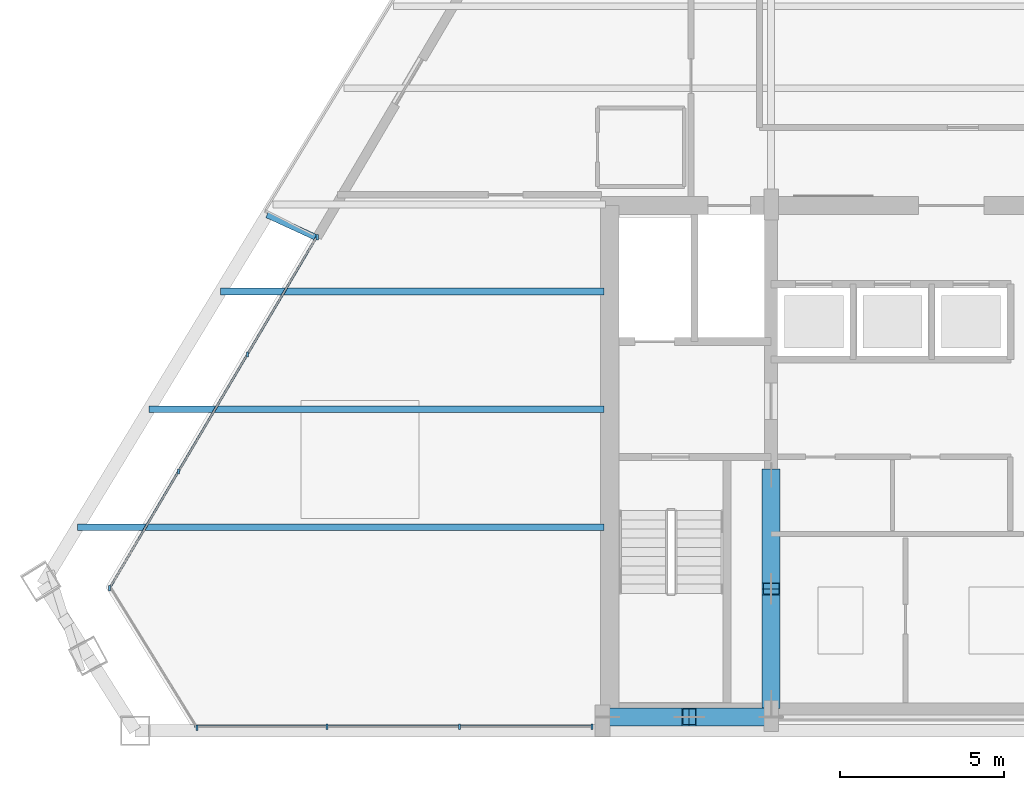
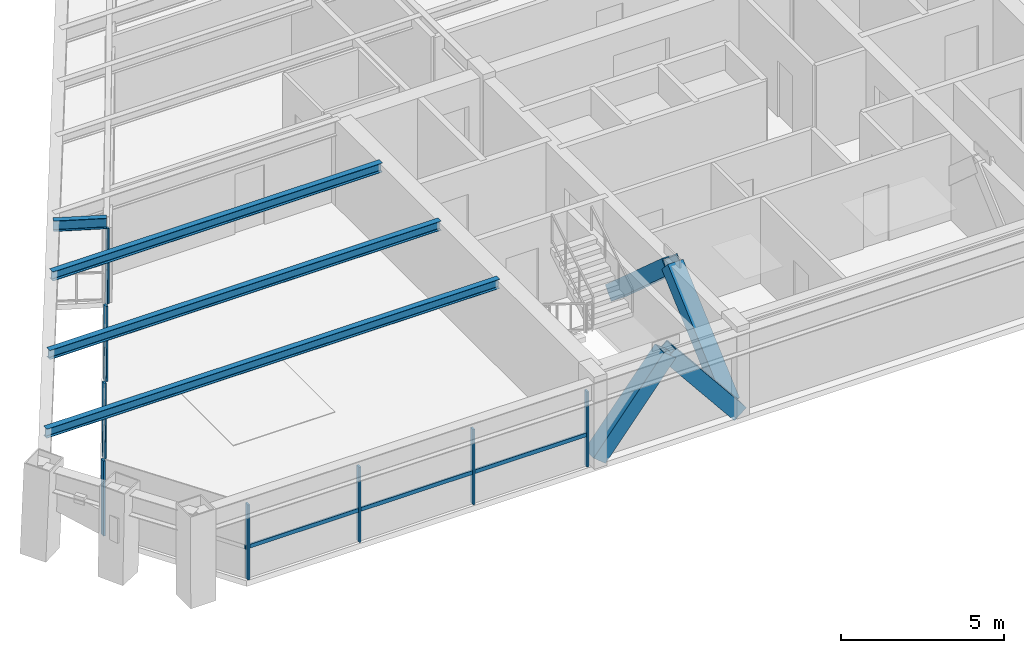
# One storey, part 2 of 14: 18 members, 4 beams, 3 elements without a shape of their own.
"""IFC4 building model written with IfcOpenShell, lengths in metres."""

from ifc_helpers import new_model, si_unit, direction, frame, origin, origin_2d, place, context, subcontext, project, spatial, rectangle, hollow_rectangle, i_section, extrude, source, transform, mapped, material, material_profile, profile_set, type_object, type_shapes, element, aggregate, save


model = new_model("IFC4")

# Units and contexts
model_context = context("Model", 3, precision=1e-05, world=origin(), true_north=direction((0.0, 1.0)))
body_context = subcontext(model_context, "Body", "Model", "MODEL_VIEW")
ifc_project = project(units=[si_unit("LENGTHUNIT", "METRE"), si_unit("AREAUNIT", "SQUARE_METRE"), si_unit("VOLUMEUNIT", "CUBIC_METRE"), si_unit("PLANEANGLEUNIT", "RADIAN"), si_unit("MASSUNIT", "GRAM", prefix="KILO")], contexts=[model_context])

# Site, building, storey
site_placement = place(None, origin())
site = spatial("IfcSite", under=ifc_project, at=site_placement, CompositionType="ELEMENT")
building_placement = place(site_placement, origin())
building = spatial("IfcBuilding", under=site, at=building_placement, Name="Varnakhor Terracotta Tower", CompositionType="ELEMENT")
storey_placement = place(building_placement, frame((0.0, 0.0, 240.699951171875)))
storey = spatial("IfcBuildingStorey", under=building, at=storey_placement, Name="L62", CompositionType="ELEMENT", Elevation=240.699951171875)

# Members
ifc_material_1 = material(Name="Steel S355", Category="steel")
ifc_material_profile_1 = material_profile(ifc_material_1, hollow_rectangle(XDim=0.550048828125, YDim=0.550048828125, WallThickness=0.034912109375, at=origin_2d()), Name="HSS550X550X35")
ifc_profile_set_1 = profile_set([ifc_material_profile_1], Name="Steel S355")
member_type_1 = type_object("IfcMemberType", Name="MBR-MEGA-550", PredefinedType="BRACE", material=ifc_profile_set_1)
shared_shape_1 = source(origin(), body_context, "Body", "SweptSolid", [
    extrude(hollow_rectangle(XDim=0.550048828125, YDim=0.550048828125, WallThickness=0.034912109375, at=origin_2d()), origin(), (0.0, 0.0, 1.0), 3.974853515625),
])
for number, where, z_axis, x_axis, name in (
    (1, (-10.5, 0.419921875, 0.0), (0.628970263838, 0.0, 0.777429358339), (0.0, 1.0, 0.0), "L62 Core Coupled Brace CSWA"),
    (2, (-5.5, 0.419921875, 0.0), (-0.628970263838, 0.0, 0.777429358339), (0.0, -1.0, 0.0), "L62 Core Coupled Brace CSWB"),
):
    element("IfcMember", number, at=place(storey_placement, frame(where, z_axis=z_axis, x_axis=x_axis)), inside=storey, type_object=member_type_1, Name=name, PredefinedType="BRACE", context=body_context, shape_type="MappedRepresentation", body=[
        mapped(shared_shape_1, transform((0.0, 0.0, 0.0), scale=1.0)),
    ])
shared_shape_2 = source(origin(), body_context, "Body", "SweptSolid", [
    extrude(hollow_rectangle(XDim=0.550048828125, YDim=0.550048828125, WallThickness=0.034912109375, at=origin_2d()), origin(), (0.0, 0.0, 1.0), 4.650146484375),
])
for number, where, z_axis, x_axis, name in (
    (3, (-5.5, 0.85009765625, 0.0), (0.0, 0.74726736397, 0.664523503532), (-1.0, 0.0, 0.0), "L62 Core Coupled Brace CWWA"),
    (4, (-5.5, 7.800048828125, 0.0), (0.0, -0.74729054724, 0.664497432655), (1.0, 0.0, 0.0), "L62 Core Coupled Brace CWWB"),
):
    element("IfcMember", number, at=place(storey_placement, frame(where, z_axis=z_axis, x_axis=x_axis)), inside=storey, type_object=member_type_1, Name=name, PredefinedType="BRACE", context=body_context, shape_type="MappedRepresentation", body=[
        mapped(shared_shape_2, transform((0.0, 0.0, 0.0), scale=1.0)),
    ])

# Beams
ifc_material_profile_2 = material_profile(ifc_material_1, i_section(OverallWidth=0.202880859375, OverallDepth=0.346923828125, WebThickness=0.0078125, FlangeThickness=0.013427734375, FilletRadius=0.01806640625, at=origin_2d()), Name="W14X43")
ifc_profile_set_2 = profile_set([ifc_material_profile_2], Name="Steel S355")
beam_type_1 = type_object("IfcBeamType", Name="JST-W14X43", PredefinedType="JOIST", material=ifc_profile_set_2)
shared_shape_3 = source(origin(), body_context, "Body", "SweptSolid", [
    extrude(i_section(OverallWidth=0.202880859375, OverallDepth=0.346923828125, WebThickness=0.0078125, FlangeThickness=0.013427734375, FilletRadius=0.01806640625, at=origin_2d()), origin(), (0.0, 0.0, 1.0), 16.070556640625),
])
beam_1_placement = place(storey_placement, frame((-26.670654296875, 6.199951171875, 3.066650390625), z_axis=(1.0, 0.0, 0.0), x_axis=(0.0, 1.0, 0.0)))
element("IfcBeam", 5, at=beam_1_placement, inside=storey, type_object=beam_type_1, Name="L62 Floor Joist W1", PredefinedType="JOIST", context=body_context, shape_type="MappedRepresentation", body=[
    mapped(shared_shape_3, transform((0.0, 0.0, 0.0), scale=1.0)),
])
shared_shape_4 = source(origin(), body_context, "Body", "SweptSolid", [
    extrude(i_section(OverallWidth=0.202880859375, OverallDepth=0.346923828125, WebThickness=0.0078125, FlangeThickness=0.013427734375, FilletRadius=0.01806640625, at=origin_2d()), origin(), (0.0, 0.0, 1.0), 13.8857421875),
])
beam_2_placement = place(storey_placement, frame((-24.48583984375, 9.800048828125, 3.066650390625), z_axis=(1.0, 0.0, 0.0), x_axis=(0.0, 1.0, 0.0)))
element("IfcBeam", 6, at=beam_2_placement, inside=storey, type_object=beam_type_1, Name="L62 Floor Joist W2", PredefinedType="JOIST", context=body_context, shape_type="MappedRepresentation", body=[
    mapped(shared_shape_4, transform((0.0, 0.0, 0.0), scale=1.0)),
])
shared_shape_5 = source(origin(), body_context, "Body", "SweptSolid", [
    extrude(i_section(OverallWidth=0.202880859375, OverallDepth=0.346923828125, WebThickness=0.0078125, FlangeThickness=0.013427734375, FilletRadius=0.01806640625, at=origin_2d()), origin(), (0.0, 0.0, 1.0), 11.70068359375),
])
beam_3_placement = place(storey_placement, frame((-22.30078125, 13.39990234375, 3.066650390625), z_axis=(1.0, 0.0, 0.0), x_axis=(0.0, 1.0, 0.0)))
element("IfcBeam", 7, at=beam_3_placement, inside=storey, type_object=beam_type_1, Name="L62 Floor Joist W3", PredefinedType="JOIST", context=body_context, shape_type="MappedRepresentation", body=[
    mapped(shared_shape_5, transform((0.0, 0.0, 0.0), scale=1.0)),
])

# Curtain wall, members
ifc_material_2 = material(Name="Anodised Aluminium Curtain Wall System", Category="aluminium")
curtain_wall_type = type_object("IfcCurtainWallType", Name="CW-SYS-HOTEL-LOGGIA", PredefinedType="NOTDEFINED", material=ifc_material_2)
curtain_wall_1_placement = place(storey_placement, origin())
curtain_wall_1 = element("IfcCurtainWall", 8, at=curtain_wall_1_placement, inside=storey, type_object=curtain_wall_type, Name="L62 W Facet Curtain Wall 1", PredefinedType="NOTDEFINED")
ifc_material_3 = material(Name="Anodised Aluminium 6063-T6", Category="aluminium")
ifc_material_profile_3 = material_profile(ifc_material_3, rectangle(XDim=0.06494140625, YDim=0.159912109375, at=origin_2d()), Name="ALU MULLION 65x160")
ifc_profile_set_3 = profile_set([ifc_material_profile_3], Name="Anodised Aluminium 6063-T6")
member_type_2 = type_object("IfcMemberType", Name="CWM-04", PredefinedType="MULLION", material=ifc_profile_set_3)
shared_shape_6 = source(origin(), body_context, "Body", "SweptSolid", [
    extrude(rectangle(XDim=0.06494140625, YDim=0.159912109375, at=origin_2d()), origin(), (0.0, 0.0, 1.0), 2.820068359375),
])
type_shapes(member_type_2, [shared_shape_6])
member_1_placement = place(storey_placement, frame((-25.686279296875, 4.343505859375, 0.0), z_axis=(0.0, 0.0, 1.0), x_axis=(1.0, 0.0, 0.0)))
member_1 = element("IfcMember", 9, at=member_1_placement, type_object=member_type_2, Name="L62 W Facet Curtain Wall 1 Mullion 1", PredefinedType="MULLION", context=body_context, shape_type="MappedRepresentation", body=[
    mapped(shared_shape_6, transform((0.0, 0.0, 0.0), scale=1.0)),
])
member_2_placement = place(storey_placement, frame((-23.5849609375, 7.9091796875, 0.0), z_axis=(0.0, 0.0, 1.0), x_axis=(1.0, 0.0, 0.0)))
member_2 = element("IfcMember", 10, at=member_2_placement, type_object=member_type_2, Name="L62 W Facet Curtain Wall 1 Mullion 2", PredefinedType="MULLION", context=body_context, shape_type="MappedRepresentation", body=[
    mapped(shared_shape_6, transform((0.0, 0.0, 0.0), scale=1.0)),
])
member_3_placement = place(storey_placement, frame((-21.4833984375, 11.474853515625, 0.0), z_axis=(0.0, 0.0, 1.0), x_axis=(1.0, 0.0, 0.0)))
member_3 = element("IfcMember", 11, at=member_3_placement, type_object=member_type_2, Name="L62 W Facet Curtain Wall 1 Mullion 3", PredefinedType="MULLION", context=body_context, shape_type="MappedRepresentation", body=[
    mapped(shared_shape_6, transform((0.0, 0.0, 0.0), scale=1.0)),
])
member_4_placement = place(storey_placement, frame((-19.349609375, 15.056396484375, 0.0), z_axis=(0.0, 0.0, 1.0), x_axis=(1.0, 0.0, 0.0)))
member_4 = element("IfcMember", 12, at=member_4_placement, type_object=member_type_2, Name="L62 W Loggia Jamb Closure Mullion 1", PredefinedType="MULLION", context=body_context, shape_type="MappedRepresentation", body=[
    mapped(shared_shape_6, transform((0.0, 0.0, 0.0), scale=1.0)),
])

curtain_wall_2_placement = place(storey_placement, origin())
curtain_wall_2 = element("IfcCurtainWall", 13, at=curtain_wall_2_placement, inside=storey, type_object=curtain_wall_type, Name="L62 South Wing Curtain Wall SSW", PredefinedType="NOTDEFINED")
member_5_placement = place(storey_placement, frame((-10.969970703125, 0.1201171875, 0.0), z_axis=(0.0, 0.0, 1.0), x_axis=(1.0, 0.0, 0.0)))
member_5 = element("IfcMember", 14, at=member_5_placement, type_object=member_type_2, Name="L62 South Wing Curtain Wall SSW Mullion 1", PredefinedType="MULLION", context=body_context, shape_type="MappedRepresentation", body=[
    mapped(shared_shape_6, transform((0.0, 0.0, 0.0), scale=1.0)),
])
member_6_placement = place(storey_placement, frame((-15.011962890625, 0.1201171875, 0.0), z_axis=(0.0, 0.0, 1.0), x_axis=(1.0, 0.0, 0.0)))
member_6 = element("IfcMember", 15, at=member_6_placement, type_object=member_type_2, Name="L62 South Wing Curtain Wall SSW Mullion 2", PredefinedType="MULLION", context=body_context, shape_type="MappedRepresentation", body=[
    mapped(shared_shape_6, transform((0.0, 0.0, 0.0), scale=1.0)),
])
member_7_placement = place(storey_placement, frame((-19.053955078125, 0.1201171875, 0.0), z_axis=(0.0, 0.0, 1.0), x_axis=(1.0, 0.0, 0.0)))
member_7 = element("IfcMember", 16, at=member_7_placement, type_object=member_type_2, Name="L62 South Wing Curtain Wall SSW Mullion 3", PredefinedType="MULLION", context=body_context, shape_type="MappedRepresentation", body=[
    mapped(shared_shape_6, transform((0.0, 0.0, 0.0), scale=1.0)),
])

# Curtain wall, member
curtain_wall_3_placement = place(storey_placement, origin())
curtain_wall_3 = element("IfcCurtainWall", 17, at=curtain_wall_3_placement, inside=storey, type_object=curtain_wall_type, Name="L62 Facet Curtain Wall 6", PredefinedType="NOTDEFINED")
member_8_placement = place(storey_placement, frame((-23.019287109375, 0.08837890625, 0.0), z_axis=(0.0, 0.0, 1.0), x_axis=(1.0, 0.0, 0.0)))
member_8 = element("IfcMember", 18, at=member_8_placement, type_object=member_type_2, Name="L62 Facet Curtain Wall 6 Mullion 1", PredefinedType="MULLION", context=body_context, shape_type="MappedRepresentation", body=[
    mapped(shared_shape_6, transform((0.0, 0.0, 0.0), scale=1.0)),
])
aggregate(curtain_wall_3, [member_8])

# Member
ifc_material_profile_4 = material_profile(ifc_material_3, rectangle(XDim=0.06494140625, YDim=0.14501953125, at=origin_2d()), Name="ALU TRANSOM 65x145")
ifc_profile_set_4 = profile_set([ifc_material_profile_4], Name="Anodised Aluminium 6063-T6")
member_type_3 = type_object("IfcMemberType", Name="CWT-04", PredefinedType="USERDEFINED", material=ifc_profile_set_4)
shared_shape_7 = source(origin(), body_context, "Body", "SweptSolid", [
    extrude(rectangle(XDim=0.06494140625, YDim=0.14501953125, at=origin_2d()), origin(), (0.0, 0.0, 1.0), 4.138671875),
])
member_9_placement = place(storey_placement, frame((-25.686279296875, 4.343505859375, 1.1845703125), z_axis=(0.507713417719, 0.861526021353, 0.0), x_axis=(-0.861526021353, 0.507713417719, 0.0)))
member_9 = element("IfcMember", 19, at=member_9_placement, type_object=member_type_3, Name="L62 W Facet Curtain Wall 1 Transom 1", ObjectType="TRANSOM", PredefinedType="USERDEFINED", context=body_context, shape_type="MappedRepresentation", body=[
    mapped(shared_shape_7, transform((0.0, 0.0, 0.0), scale=1.0)),
])

shared_shape_8 = source(origin(), body_context, "Body", "SweptSolid", [
    extrude(rectangle(XDim=0.06494140625, YDim=0.14501953125, at=origin_2d()), origin(), (0.0, 0.0, 1.0), 4.138916015625),
])
member_10_placement = place(storey_placement, frame((-23.5849609375, 7.9091796875, 1.1845703125), z_axis=(0.507757198563, 0.861500218983, 0.0), x_axis=(-0.861500218983, 0.507757198563, 0.0)))
member_10 = element("IfcMember", 20, at=member_10_placement, type_object=member_type_3, Name="L62 W Facet Curtain Wall 1 Transom 2", ObjectType="TRANSOM", PredefinedType="USERDEFINED", context=body_context, shape_type="MappedRepresentation", body=[
    mapped(shared_shape_8, transform((0.0, 0.0, 0.0), scale=1.0)),
])

member_11_placement = place(storey_placement, frame((-21.4833984375, 11.474853515625, 1.1845703125), z_axis=(0.507687616772, 0.861541225813, 0.0), x_axis=(-0.861541225813, 0.507687616772, 0.0)))
member_11 = element("IfcMember", 21, at=member_11_placement, type_object=member_type_3, Name="L62 W Facet Curtain Wall 1 Transom 3", ObjectType="TRANSOM", PredefinedType="USERDEFINED", context=body_context, shape_type="MappedRepresentation", body=[
    mapped(shared_shape_8, transform((0.0, 0.0, 0.0), scale=1.0)),
])

aggregate(curtain_wall_1, [member_1, member_9, member_2, member_10, member_3, member_11, member_4])

shared_shape_9 = source(origin(), body_context, "Body", "SweptSolid", [
    extrude(rectangle(XDim=0.06494140625, YDim=0.14501953125, at=origin_2d()), origin(), (0.0, 0.0, 1.0), 4.0419921875),
])
member_12_placement = place(storey_placement, frame((-10.969970703125, 0.1201171875, 1.1845703125), z_axis=(-1.0, 0.0, 0.0), x_axis=(0.0, -1.0, 0.0)))
member_12 = element("IfcMember", 22, at=member_12_placement, type_object=member_type_3, Name="L62 South Wing Curtain Wall SSW Transom 1", ObjectType="TRANSOM", PredefinedType="USERDEFINED", context=body_context, shape_type="MappedRepresentation", body=[
    mapped(shared_shape_9, transform((0.0, 0.0, 0.0), scale=1.0)),
])

member_13_placement = place(storey_placement, frame((-15.011962890625, 0.1201171875, 1.1845703125), z_axis=(-1.0, 0.0, 0.0), x_axis=(0.0, -1.0, 0.0)))
member_13 = element("IfcMember", 23, at=member_13_placement, type_object=member_type_3, Name="L62 South Wing Curtain Wall SSW Transom 2", ObjectType="TRANSOM", PredefinedType="USERDEFINED", context=body_context, shape_type="MappedRepresentation", body=[
    mapped(shared_shape_9, transform((0.0, 0.0, 0.0), scale=1.0)),
])

shared_shape_10 = source(origin(), body_context, "Body", "SweptSolid", [
    extrude(rectangle(XDim=0.06494140625, YDim=0.14501953125, at=origin_2d()), origin(), (0.0, 0.0, 1.0), 4.041748046875),
])
member_14_placement = place(storey_placement, frame((-19.053955078125, 0.1201171875, 1.1845703125), z_axis=(-1.0, 0.0, 0.0), x_axis=(0.0, -1.0, 0.0)))
member_14 = element("IfcMember", 24, at=member_14_placement, type_object=member_type_3, Name="L62 South Wing Curtain Wall SSW Transom 3", ObjectType="TRANSOM", PredefinedType="USERDEFINED", context=body_context, shape_type="MappedRepresentation", body=[
    mapped(shared_shape_10, transform((0.0, 0.0, 0.0), scale=1.0)),
])

aggregate(curtain_wall_2, [member_5, member_12, member_6, member_13, member_7, member_14])

# Beam
ifc_material_profile_5 = material_profile(ifc_material_1, i_section(OverallWidth=0.179931640625, OverallDepth=0.39990234375, WebThickness=0.008544921875, FlangeThickness=0.013427734375, FilletRadius=0.01806640625, at=origin_2d()), Name="IPE400")
ifc_profile_set_5 = profile_set([ifc_material_profile_5], Name="Steel S355")
beam_type_2 = type_object("IfcBeamType", Name="JST-IPE400", PredefinedType="JOIST", material=ifc_profile_set_5)
shared_shape_11 = source(origin(), body_context, "Body", "SweptSolid", [
    extrude(i_section(OverallWidth=0.179931640625, OverallDepth=0.39990234375, WebThickness=0.008544921875, FlangeThickness=0.013427734375, FilletRadius=0.01806640625, at=origin_2d()), origin(), (0.0, 0.0, 1.0), 1.646240234375),
])
beam_4_placement = place(storey_placement, frame((-19.388427734375, 15.04638671875, 3.0400390625), z_axis=(-0.908210974981, 0.418512634127, 0.0), x_axis=(-0.418512634127, -0.908210974981, 0.0)))
element("IfcBeam", 25, at=beam_4_placement, inside=storey, type_object=beam_type_2, Name="L63 W Loggia Tie Beam 1", PredefinedType="JOIST", context=body_context, shape_type="MappedRepresentation", body=[
    mapped(shared_shape_11, transform((0.0, 0.0, 0.0), scale=1.0)),
])

save(model, "model.ifc")
